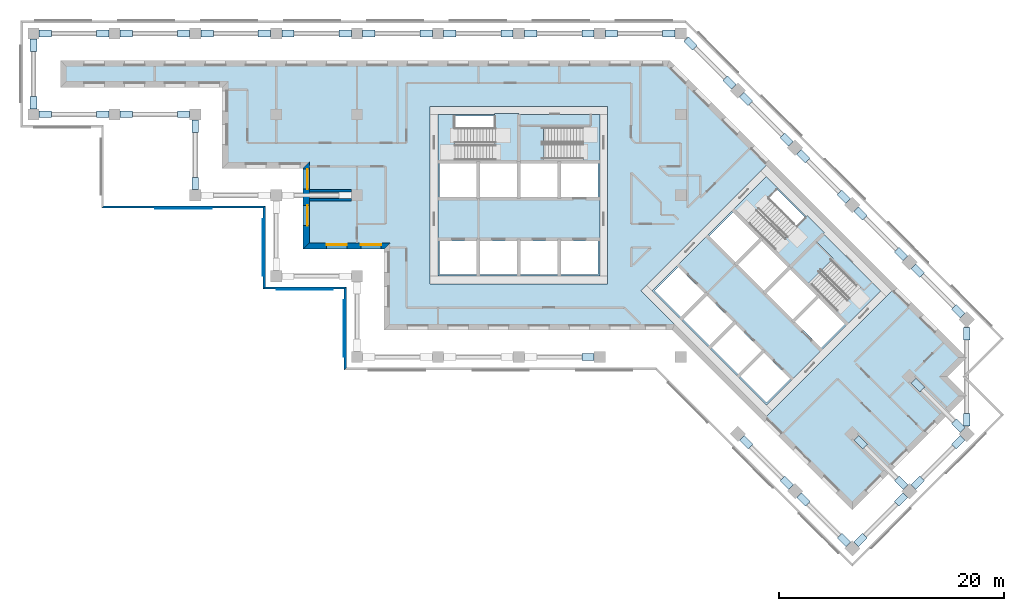
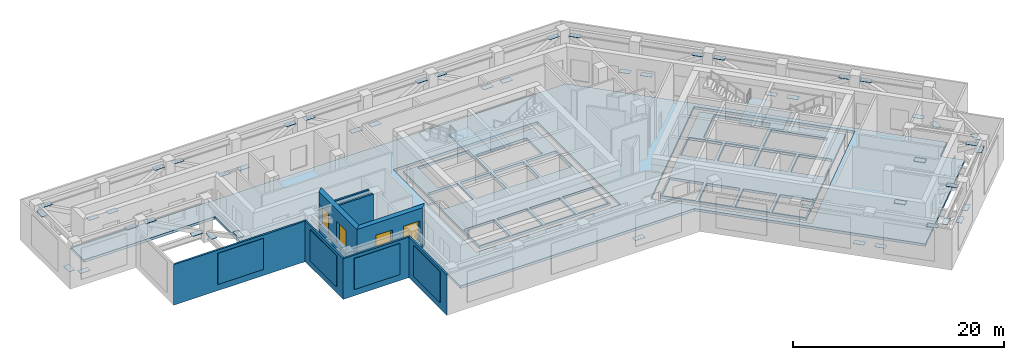
# One storey, part 2 of 9: 53 plates, 8 walls, 7 slabs, 4 windows, 26 openings, 4 elements without a shape of their own.
"""IFC4 building model written with IfcOpenShell, lengths in metres."""

from ifc_helpers import new_model, si_unit, direction, frame, frame_2d, origin, origin_2d, place, context, subcontext, project, spatial, polyline, rectangle, outline, extrude, material, layer, layer_set, type_object, element, fill, aggregate, save


model = new_model("IFC4")

# Units and contexts
model_context = context("Model", 3, precision=1e-05, world=origin(), true_north=direction((0.0, 1.0)))
body_context = subcontext(model_context, "Body", "Model", "MODEL_VIEW")
ifc_project = project(units=[si_unit("LENGTHUNIT", "METRE"), si_unit("AREAUNIT", "SQUARE_METRE"), si_unit("VOLUMEUNIT", "CUBIC_METRE"), si_unit("PLANEANGLEUNIT", "RADIAN"), si_unit("MASSUNIT", "GRAM", prefix="KILO")], contexts=[model_context])

# Plate
ifc_material_1 = material(Name="Aluminium louvre", Category="aluminium")
ifc_layer_1 = layer(ifc_material_1, 0.05)
ifc_layer_set_1 = layer_set([ifc_layer_1], Name="Belt louvre panel 5000x3600")
plate_type_1 = type_object("IfcPlateType", Name="Belt louvre panel 5000x3600", PredefinedType="SHEET", material=ifc_layer_set_1)
site_placement = place(None, origin())
building_placement = place(site_placement, origin())
storey_placement = place(building_placement, frame((0.0, 0.0, 126.2)))
plate_1_placement = place(storey_placement, frame((32.45, 56.4, 0.75), z_axis=(0.0, -1.0, 0.0), x_axis=(1.0, 0.0, 0.0)))
plate_1 = element("IfcPlate", 1, at=plate_1_placement, type_object=plate_type_1, Name="Belt louvre panel L34 49.1", PredefinedType="SHEET", context=body_context, shape_type="SweptSolid", body=[
    extrude(outline(polyline([(0.0, 0.0), (5.0, 0.0), (5.0, 3.6), (0.0, 3.6), (0.0, 0.0)])), origin(), (0.0, 0.0, -1.0), 0.05),
])

plate_2_placement = place(storey_placement, frame((42.0, 55.45, 0.75), z_axis=(-1.0, 0.0, 0.0), x_axis=(0.0, -1.0, 0.0)))
plate_2 = element("IfcPlate", 2, at=plate_2_placement, type_object=plate_type_1, Name="Belt louvre panel L34 53.1", PredefinedType="SHEET", context=body_context, shape_type="SweptSolid", body=[
    extrude(outline(polyline([(0.0, 0.0), (5.0, 0.0), (5.0, 3.6), (0.0, 3.6), (0.0, 0.0)])), origin(), (0.0, 0.0, -1.0), 0.05),
])

plate_3_placement = place(storey_placement, frame((43.25, 49.2, 0.75), z_axis=(0.0, -1.0, 0.0), x_axis=(1.0, 0.0, 0.0)))
plate_3 = element("IfcPlate", 3, at=plate_3_placement, type_object=plate_type_1, Name="Belt louvre panel L34 57.1", PredefinedType="SHEET", context=body_context, shape_type="SweptSolid", body=[
    extrude(outline(polyline([(0.0, 0.0), (5.0, 0.0), (5.0, 3.6), (0.0, 3.6), (0.0, 0.0)])), origin(), (0.0, 0.0, -1.0), 0.05),
])

plate_4_placement = place(storey_placement, frame((49.2, 48.25, 0.75), z_axis=(-1.0, 0.0, 0.0), x_axis=(0.0, -1.0, 0.0)))
plate_4 = element("IfcPlate", 4, at=plate_4_placement, type_object=plate_type_1, Name="Belt louvre panel L34 61.1", PredefinedType="SHEET", context=body_context, shape_type="SweptSolid", body=[
    extrude(outline(polyline([(0.0, 0.0), (5.0, 0.0), (5.0, 3.6), (0.0, 3.6), (0.0, 0.0)])), origin(), (0.0, 0.0, -1.0), 0.05),
])

# Site, building, storey
site = spatial("IfcSite", under=ifc_project, at=site_placement, CompositionType="ELEMENT")
building = spatial("IfcBuilding", under=site, at=building_placement, Name="Windrow Commons", CompositionType="ELEMENT")
storey = spatial("IfcBuildingStorey", under=building, at=storey_placement, Name="L34", CompositionType="ELEMENT", Elevation=126.2)

# Slab, openings
ifc_material_2 = material(Name="Concrete C50/60", Category="concrete")
ifc_layer_2 = layer(ifc_material_2, 0.3)
ifc_layer_set_2 = layer_set([ifc_layer_2], Name="CORE FLOOR SLAB 300 C50/60")
slab_type_1 = type_object("IfcSlabType", Name="CORE FLOOR SLAB 300 C50/60", PredefinedType="FLOOR", material=ifc_layer_set_2)
placement_1 = place(storey_placement, frame((0.0, 0.0, -0.3)))
slab_1 = element("IfcSlab", 5, at=placement_1, inside=storey, type_object=slab_type_1, Name="S-L34-core-A", PredefinedType="FLOOR", context=body_context, shape_type="SweptSolid", body=[
    extrude(outline(polyline([(57.6, 50.4), (72.0, 50.4), (72.0, 64.8), (57.6, 64.8), (57.6, 50.4)]), holes=[polyline([(57.75, 50.55), (61.05, 50.55), (61.05, 53.55), (57.75, 53.55), (57.75, 50.55)]), polyline([(61.35, 50.55), (64.65, 50.55), (64.65, 53.55), (61.35, 53.55), (61.35, 50.55)]), polyline([(64.95, 50.55), (68.25, 50.55), (68.25, 53.55), (64.95, 53.55), (64.95, 50.55)]), polyline([(68.55, 50.55), (71.85, 50.55), (71.85, 53.55), (68.55, 53.55), (68.55, 50.55)]), polyline([(57.75, 57.45), (61.05, 57.45), (61.05, 60.45), (57.75, 60.45), (57.75, 57.45)]), polyline([(61.35, 57.45), (64.65, 57.45), (64.65, 60.45), (61.35, 60.45), (61.35, 57.45)]), polyline([(64.95, 57.45), (68.25, 57.45), (68.25, 60.45), (64.95, 60.45), (64.95, 57.45)]), polyline([(68.55, 57.45), (71.85, 57.45), (71.85, 60.45), (68.55, 60.45), (68.55, 57.45)]), polyline([(59.1, 60.75), (64.65, 60.75), (64.65, 64.65), (59.1, 64.65), (59.1, 60.75)]), polyline([(64.95, 60.75), (70.5, 60.75), (70.5, 63.705), (64.95, 63.705), (64.95, 60.75)])]), origin(), (0.0, 0.0, 1.0), 0.3),
])
opening_1_placement = place(placement_1, origin())
element("IfcOpeningElement", 6, at=opening_1_placement, cuts=slab_1, Name="Slab opening S-L34-core-A 1", PredefinedType="OPENING", context=body_context, shape_type="SweptSolid", body=[
    extrude(outline(polyline([(57.755, 50.555), (57.755, 53.545), (61.045, 53.545), (61.045, 50.555), (57.755, 50.555)])), origin(), (0.0, 0.0, 1.0), 0.3),
])
opening_2_placement = place(placement_1, origin())
element("IfcOpeningElement", 7, at=opening_2_placement, cuts=slab_1, Name="Slab opening S-L34-core-A 2", PredefinedType="OPENING", context=body_context, shape_type="SweptSolid", body=[
    extrude(outline(polyline([(61.355, 50.555), (61.355, 53.545), (64.645, 53.545), (64.645, 50.555), (61.355, 50.555)])), origin(), (0.0, 0.0, 1.0), 0.3),
])
opening_3_placement = place(placement_1, origin())
element("IfcOpeningElement", 8, at=opening_3_placement, cuts=slab_1, Name="Slab opening S-L34-core-A 3", PredefinedType="OPENING", context=body_context, shape_type="SweptSolid", body=[
    extrude(outline(polyline([(64.955, 50.555), (64.955, 53.545), (68.245, 53.545), (68.245, 50.555), (64.955, 50.555)])), origin(), (0.0, 0.0, 1.0), 0.3),
])
opening_4_placement = place(placement_1, origin())
element("IfcOpeningElement", 9, at=opening_4_placement, cuts=slab_1, Name="Slab opening S-L34-core-A 4", PredefinedType="OPENING", context=body_context, shape_type="SweptSolid", body=[
    extrude(outline(polyline([(68.555, 50.555), (68.555, 53.545), (71.845, 53.545), (71.845, 50.555), (68.555, 50.555)])), origin(), (0.0, 0.0, 1.0), 0.3),
])
opening_5_placement = place(placement_1, origin())
element("IfcOpeningElement", 10, at=opening_5_placement, cuts=slab_1, Name="Slab opening S-L34-core-A 5", PredefinedType="OPENING", context=body_context, shape_type="SweptSolid", body=[
    extrude(outline(polyline([(57.755, 57.455), (57.755, 60.445), (61.045, 60.445), (61.045, 57.455), (57.755, 57.455)])), origin(), (0.0, 0.0, 1.0), 0.3),
])
opening_6_placement = place(placement_1, origin())
element("IfcOpeningElement", 11, at=opening_6_placement, cuts=slab_1, Name="Slab opening S-L34-core-A 6", PredefinedType="OPENING", context=body_context, shape_type="SweptSolid", body=[
    extrude(outline(polyline([(61.355, 57.455), (61.355, 60.445), (64.645, 60.445), (64.645, 57.455), (61.355, 57.455)])), origin(), (0.0, 0.0, 1.0), 0.3),
])
opening_7_placement = place(placement_1, origin())
element("IfcOpeningElement", 12, at=opening_7_placement, cuts=slab_1, Name="Slab opening S-L34-core-A 7", PredefinedType="OPENING", context=body_context, shape_type="SweptSolid", body=[
    extrude(outline(polyline([(64.955, 57.455), (64.955, 60.445), (68.245, 60.445), (68.245, 57.455), (64.955, 57.455)])), origin(), (0.0, 0.0, 1.0), 0.3),
])
opening_8_placement = place(placement_1, origin())
element("IfcOpeningElement", 13, at=opening_8_placement, cuts=slab_1, Name="Slab opening S-L34-core-A 8", PredefinedType="OPENING", context=body_context, shape_type="SweptSolid", body=[
    extrude(outline(polyline([(68.555, 57.455), (68.555, 60.445), (71.845, 60.445), (71.845, 57.455), (68.555, 57.455)])), origin(), (0.0, 0.0, 1.0), 0.3),
])
opening_9_placement = place(placement_1, origin())
element("IfcOpeningElement", 14, at=opening_9_placement, cuts=slab_1, Name="Slab opening S-L34-core-A 9", PredefinedType="OPENING", context=body_context, shape_type="SweptSolid", body=[
    extrude(outline(polyline([(59.105, 60.755), (59.105, 64.645), (64.645, 64.645), (64.645, 60.755), (59.105, 60.755)])), origin(), (0.0, 0.0, 1.0), 0.3),
])
opening_10_placement = place(placement_1, origin())
element("IfcOpeningElement", 15, at=opening_10_placement, cuts=slab_1, Name="Slab opening S-L34-core-A 10", PredefinedType="OPENING", context=body_context, shape_type="SweptSolid", body=[
    extrude(outline(polyline([(64.955, 60.755), (64.955, 63.7), (70.495, 63.7), (70.495, 60.755), (64.955, 60.755)])), origin(), (0.0, 0.0, 1.0), 0.3),
])

slab_2 = element("IfcSlab", 16, at=placement_1, inside=storey, type_object=slab_type_1, Name="S-L34-core-B", PredefinedType="FLOOR", context=body_context, shape_type="SweptSolid", body=[
    extrude(outline(polyline([(76.6544, 49.0897), (86.8368, 38.9074), (97.0191, 49.0897), (86.8368, 59.2721), (76.6544, 49.0897)]), holes=[polyline([(76.8665, 49.0897), (79.2, 46.7563), (81.3213, 48.8776), (78.9879, 51.2111), (76.8665, 49.0897)]), polyline([(79.4121, 46.5442), (81.7456, 44.2107), (83.8669, 46.332), (81.5335, 48.6655), (79.4121, 46.5442)]), polyline([(81.9577, 43.9986), (84.2912, 41.6651), (86.4125, 43.7864), (84.079, 46.1199), (81.9577, 43.9986)]), polyline([(84.5033, 41.453), (86.8368, 39.1195), (88.9581, 41.2409), (86.6246, 43.5743), (84.5033, 41.453)]), polyline([(81.7456, 53.9688), (84.079, 51.6353), (86.2004, 53.7566), (83.8669, 56.0901), (81.7456, 53.9688)]), polyline([(84.2912, 51.4232), (86.6246, 49.0897), (88.7459, 51.2111), (86.4125, 53.5445), (84.2912, 51.4232)]), polyline([(86.8368, 48.8776), (89.1702, 46.5442), (91.2915, 48.6655), (88.9581, 50.9989), (86.8368, 48.8776)]), polyline([(89.3823, 46.332), (91.7158, 43.9986), (93.8371, 46.1199), (91.5037, 48.4533), (89.3823, 46.332)]), polyline([(85.0336, 55.3476), (88.9581, 51.4232), (91.7158, 54.1809), (87.7913, 58.1054), (85.0336, 55.3476)]), polyline([(89.1702, 51.2111), (93.0946, 47.2866), (95.1841, 49.3761), (91.2597, 53.3006), (89.1702, 51.2111)])]), origin(), (0.0, 0.0, 1.0), 0.3),
])
opening_11_placement = place(placement_1, origin())
element("IfcOpeningElement", 17, at=opening_11_placement, cuts=slab_2, Name="Slab opening S-L34-core-B 1", PredefinedType="OPENING", context=body_context, shape_type="SweptSolid", body=[
    extrude(outline(polyline([(76.8736, 49.0897), (78.9879, 51.204), (81.3142, 48.8776), (79.2, 46.7634), (76.8736, 49.0897)])), origin(), (0.0, 0.0, 1.0), 0.3),
])
opening_12_placement = place(placement_1, origin())
element("IfcOpeningElement", 18, at=opening_12_placement, cuts=slab_2, Name="Slab opening S-L34-core-B 2", PredefinedType="OPENING", context=body_context, shape_type="SweptSolid", body=[
    extrude(outline(polyline([(79.4192, 46.5442), (81.5335, 48.6584), (83.8598, 46.332), (81.7456, 44.2178), (79.4192, 46.5442)])), origin(), (0.0, 0.0, 1.0), 0.3),
])
opening_13_placement = place(placement_1, origin())
element("IfcOpeningElement", 19, at=opening_13_placement, cuts=slab_2, Name="Slab opening S-L34-core-B 3", PredefinedType="OPENING", context=body_context, shape_type="SweptSolid", body=[
    extrude(outline(polyline([(81.9648, 43.9986), (84.079, 46.1128), (86.4054, 43.7864), (84.2912, 41.6722), (81.9648, 43.9986)])), origin(), (0.0, 0.0, 1.0), 0.3),
])
opening_14_placement = place(placement_1, origin())
element("IfcOpeningElement", 20, at=opening_14_placement, cuts=slab_2, Name="Slab opening S-L34-core-B 4", PredefinedType="OPENING", context=body_context, shape_type="SweptSolid", body=[
    extrude(outline(polyline([(84.5104, 41.453), (86.6246, 43.5672), (88.951, 41.2409), (86.8368, 39.1266), (84.5104, 41.453)])), origin(), (0.0, 0.0, 1.0), 0.3),
])
opening_15_placement = place(placement_1, origin())
element("IfcOpeningElement", 21, at=opening_15_placement, cuts=slab_2, Name="Slab opening S-L34-core-B 5", PredefinedType="OPENING", context=body_context, shape_type="SweptSolid", body=[
    extrude(outline(polyline([(81.7527, 53.9688), (83.8669, 56.083), (86.1933, 53.7566), (84.079, 51.6424), (81.7527, 53.9688)])), origin(), (0.0, 0.0, 1.0), 0.3),
])
opening_16_placement = place(placement_1, origin())
element("IfcOpeningElement", 22, at=opening_16_placement, cuts=slab_2, Name="Slab opening S-L34-core-B 6", PredefinedType="OPENING", context=body_context, shape_type="SweptSolid", body=[
    extrude(outline(polyline([(84.2983, 51.4232), (86.4125, 53.5374), (88.7388, 51.2111), (86.6246, 49.0968), (84.2983, 51.4232)])), origin(), (0.0, 0.0, 1.0), 0.3),
])
opening_17_placement = place(placement_1, origin())
element("IfcOpeningElement", 23, at=opening_17_placement, cuts=slab_2, Name="Slab opening S-L34-core-B 7", PredefinedType="OPENING", context=body_context, shape_type="SweptSolid", body=[
    extrude(outline(polyline([(86.8439, 48.8776), (88.9581, 50.9918), (91.2844, 48.6655), (89.1702, 46.5513), (86.8439, 48.8776)])), origin(), (0.0, 0.0, 1.0), 0.3),
])
opening_18_placement = place(placement_1, origin())
element("IfcOpeningElement", 24, at=opening_18_placement, cuts=slab_2, Name="Slab opening S-L34-core-B 8", PredefinedType="OPENING", context=body_context, shape_type="SweptSolid", body=[
    extrude(outline(polyline([(89.3894, 46.332), (91.5037, 48.4462), (93.83, 46.1199), (91.7158, 44.0057), (89.3894, 46.332)])), origin(), (0.0, 0.0, 1.0), 0.3),
])
opening_19_placement = place(placement_1, origin())
element("IfcOpeningElement", 25, at=opening_19_placement, cuts=slab_2, Name="Slab opening S-L34-core-B 9", PredefinedType="OPENING", context=body_context, shape_type="SweptSolid", body=[
    extrude(outline(polyline([(85.0407, 55.3476), (87.7913, 58.0983), (91.7087, 54.1809), (88.9581, 51.4303), (85.0407, 55.3476)])), origin(), (0.0, 0.0, 1.0), 0.3),
])
opening_20_placement = place(placement_1, origin())
element("IfcOpeningElement", 26, at=opening_20_placement, cuts=slab_2, Name="Slab opening S-L34-core-B 10", PredefinedType="OPENING", context=body_context, shape_type="SweptSolid", body=[
    extrude(outline(polyline([(89.1773, 51.2111), (91.2597, 53.2935), (95.177, 49.3761), (93.0946, 47.2937), (89.1773, 51.2111)])), origin(), (0.0, 0.0, 1.0), 0.3),
])

# Stair, slab
ifc_material_3 = material(Name="Concrete C40/50", Category="concrete")
stair_type = type_object("IfcStairType", Name="Core stair", PredefinedType="HALF_TURN_STAIR", material=ifc_material_3)
placement_2 = place(storey_placement, origin())
stair_1 = element("IfcStair", 27, at=placement_2, inside=storey, type_object=stair_type, Name="L34 Exit stair A1 core A", PredefinedType="HALF_TURN_STAIR")
ifc_material_4 = material(Name="Concrete C40/50", Category="concrete")
ifc_layer_3 = layer(ifc_material_4, 0.2)
ifc_layer_set_3 = layer_set([ifc_layer_3], Name="Core stair landing")
slab_type_2 = type_object("IfcSlabType", Name="Core stair landing", PredefinedType="LANDING", material=ifc_layer_set_3)
placement_3 = place(storey_placement, frame((0.0, 0.0, 2.3)))
slab_3 = element("IfcSlab", 28, at=placement_3, type_object=slab_type_2, Name="ST-A1 landing 1", PredefinedType="LANDING", context=body_context, shape_type="SweptSolid", body=[
    extrude(outline(polyline([(62.62, 60.5), (64.8, 60.5), (64.8, 64.9), (62.62, 64.9), (62.62, 60.5)])), origin(), (0.0, 0.0, 1.0), 0.2),
])
aggregate(stair_1, [slab_3])

stair_2 = element("IfcStair", 29, at=placement_2, inside=storey, type_object=stair_type, Name="L34 Exit stair A2 core A", PredefinedType="HALF_TURN_STAIR")
slab_4 = element("IfcSlab", 30, at=placement_3, type_object=slab_type_2, Name="ST-A2 landing 1", PredefinedType="LANDING", context=body_context, shape_type="SweptSolid", body=[
    extrude(outline(polyline([(64.8, 60.5), (66.98, 60.5), (66.98, 63.855), (64.8, 63.855), (64.8, 60.5)])), origin(), (0.0, 0.0, 1.0), 0.2),
])
aggregate(stair_2, [slab_4])

stair_3 = element("IfcStair", 31, at=placement_2, inside=storey, type_object=stair_type, Name="L34 Exit stair B1 core B", PredefinedType="HALF_TURN_STAIR")
slab_5 = element("IfcSlab", 32, at=placement_3, type_object=slab_type_2, Name="ST-B1 landing 1", PredefinedType="LANDING", context=body_context, shape_type="SweptSolid", body=[
    extrude(outline(polyline([(87.3459, 52.6819), (88.8874, 51.1403), (91.9986, 54.2516), (90.4571, 55.7931), (87.3459, 52.6819)])), origin(), (0.0, 0.0, 1.0), 0.2),
])
aggregate(stair_3, [slab_5])

stair_4 = element("IfcStair", 33, at=placement_2, inside=storey, type_object=stair_type, Name="L34 Exit stair B2 core B", PredefinedType="HALF_TURN_STAIR")
slab_6 = element("IfcSlab", 34, at=placement_3, type_object=slab_type_2, Name="ST-B2 landing 1", PredefinedType="LANDING", context=body_context, shape_type="SweptSolid", body=[
    extrude(outline(polyline([(88.8874, 51.1403), (90.4289, 49.5989), (92.8012, 51.9712), (91.2597, 53.5127), (88.8874, 51.1403)])), origin(), (0.0, 0.0, 1.0), 0.2),
])
aggregate(stair_4, [slab_6])

# Slab, openings
ifc_material_5 = material(Name="Concrete C50/60", Category="concrete")
ifc_layer_4 = layer(ifc_material_5, 0.3)
ifc_layer_set_4 = layer_set([ifc_layer_4], Name="FLOOR SLAB 300 C50/60")
slab_type_3 = type_object("IfcSlabType", Name="FLOOR SLAB 300 C50/60", PredefinedType="FLOOR", material=ifc_layer_set_4)
slab_7 = element("IfcSlab", 35, at=placement_1, inside=storey, type_object=slab_type_3, Name="S-L34-floor", PredefinedType="FLOOR", context=body_context, shape_type="SweptSolid", body=[
    extrude(outline(polyline([(94.4735, 29.5736), (104.6558, 39.7559), (102.9588, 41.453), (104.6558, 43.15), (78.2059, 69.6), (24.0, 69.6), (24.0, 67.2), (38.4, 67.2), (38.4, 60.0), (45.6, 60.0), (45.6, 52.8), (52.8, 52.8), (52.8, 45.6), (78.4471, 45.6), (94.4735, 29.5736)]), holes=[polyline([(75.6645, 49.0897), (86.8368, 60.262), (98.009, 49.0897), (86.8368, 37.9175), (75.6645, 49.0897)]), polyline([(56.9, 49.7), (56.9, 65.5), (72.7, 65.5), (72.7, 49.7), (56.9, 49.7)])]), origin(), (0.0, 0.0, 1.0), 0.3),
])
opening_21_placement = place(placement_1, origin())
element("IfcOpeningElement", 36, at=opening_21_placement, cuts=slab_7, Name="Slab opening S-L34-floor 1", PredefinedType="OPENING", context=body_context, shape_type="SweptSolid", body=[
    extrude(outline(polyline([(75.6716, 49.0897), (86.8368, 60.2549), (98.0019, 49.0897), (86.8368, 37.9246), (75.6716, 49.0897)])), origin(), (0.0, 0.0, 1.0), 0.3),
])
opening_22_placement = place(placement_1, origin())
element("IfcOpeningElement", 37, at=opening_22_placement, cuts=slab_7, Name="Slab opening S-L34-floor 2", PredefinedType="OPENING", context=body_context, shape_type="SweptSolid", body=[
    extrude(outline(polyline([(56.905, 49.705), (56.905, 65.495), (72.695, 65.495), (72.695, 49.705), (56.905, 49.705)])), origin(), (0.0, 0.0, 1.0), 0.3),
])

# Plates
ifc_material_6 = material(Name="Steel S355", Category="steel")
ifc_layer_5 = layer(ifc_material_6, 0.03)
ifc_layer_set_5 = layer_set([ifc_layer_5], Name="GUSSET PLATE 30 S355")
plate_type_2 = type_object("IfcPlateType", Name="GUSSET PLATE 30 S355", PredefinedType="USERDEFINED", material=ifc_layer_set_5)
for number, where, z_axis, x_axis, name in (
    (38, (70.95, 43.2, 0.7), (0.0, 0.0, 1.0), (-1.0, 0.0, 0.0), "Gusset plate L34 belt00 1"),
    (39, (36.0, 58.65, 3.97), (0.0, 0.0, 1.0), (0.0, 1.0, 0.0), "Gusset plate L34 belt00 13"),
    (40, (36.0, 63.75, 0.7), (0.0, 0.0, 1.0), (0.0, 1.0, 0.0), "Gusset plate L34 belt00 14"),
    (41, (34.95, 64.8, 0.7), (0.0, 0.0, 1.0), (-1.0, 0.0, 0.0), "Gusset plate L34 belt00 15"),
    (42, (29.85, 64.8, 3.97), (0.0, 0.0, 1.0), (-1.0, 0.0, 0.0), "Gusset plate L34 belt00 16"),
    (43, (27.75, 64.8, 3.97), (0.0, 0.0, 1.0), (-1.0, 0.0, 0.0), "Gusset plate L34 belt00 17"),
    (44, (22.65, 64.8, 0.7), (0.0, 0.0, 1.0), (-1.0, 0.0, 0.0), "Gusset plate L34 belt00 18"),
    (45, (21.6, 65.85, 0.7), (0.0, 0.0, 1.0), (0.0, 1.0, 0.0), "Gusset plate L34 belt00 19"),
    (46, (21.6, 70.95, 3.97), (0.0, 0.0, 1.0), (0.0, 1.0, 0.0), "Gusset plate L34 belt00 20"),
    (47, (22.65, 72.0, 3.97), (0.0, 0.0, 1.0), (1.0, 0.0, 0.0), "Gusset plate L34 belt00 21"),
    (48, (27.75, 72.0, 0.7), (0.0, 0.0, 1.0), (1.0, 0.0, 0.0), "Gusset plate L34 belt00 22"),
    (49, (29.85, 72.0, 0.7), (0.0, 0.0, 1.0), (1.0, 0.0, 0.0), "Gusset plate L34 belt00 23"),
    (50, (34.95, 72.0, 3.97), (0.0, 0.0, 1.0), (1.0, 0.0, 0.0), "Gusset plate L34 belt00 24"),
    (51, (37.05, 72.0, 3.97), (0.0, 0.0, 1.0), (1.0, 0.0, 0.0), "Gusset plate L34 belt00 25"),
    (52, (42.15, 72.0, 0.7), (0.0, 0.0, 1.0), (1.0, 0.0, 0.0), "Gusset plate L34 belt00 26"),
    (53, (44.25, 72.0, 0.7), (0.0, 0.0, 1.0), (1.0, 0.0, 0.0), "Gusset plate L34 belt00 27"),
    (54, (49.35, 72.0, 3.97), (0.0, 0.0, 1.0), (1.0, 0.0, 0.0), "Gusset plate L34 belt00 28"),
    (55, (51.45, 72.0, 3.97), (0.0, 0.0, 1.0), (1.0, 0.0, 0.0), "Gusset plate L34 belt00 29"),
    (56, (56.55, 72.0, 0.7), (0.0, 0.0, 1.0), (1.0, 0.0, 0.0), "Gusset plate L34 belt00 30"),
    (57, (58.65, 72.0, 0.7), (0.0, 0.0, 1.0), (1.0, 0.0, 0.0), "Gusset plate L34 belt00 31"),
    (58, (63.75, 72.0, 3.97), (0.0, 0.0, 1.0), (1.0, 0.0, 0.0), "Gusset plate L34 belt00 32"),
    (59, (65.85, 72.0, 3.97), (0.0, 0.0, 1.0), (1.0, 0.0, 0.0), "Gusset plate L34 belt00 33"),
    (60, (70.95, 72.0, 0.7), (0.0, 0.0, 1.0), (1.0, 0.0, 0.0), "Gusset plate L34 belt00 34"),
    (61, (73.05, 72.0, 0.7), (0.0, 0.0, 1.0), (1.0, 0.0, 0.0), "Gusset plate L34 belt00 35"),
    (62, (78.15, 72.0, 3.97), (0.0, 0.0, 1.0), (1.0, 0.0, 0.0), "Gusset plate L34 belt00 36"),
    (63, (80.0889, 71.1111, 3.97), (0.0, 0.0, 1.0), (0.7071067812, -0.7071067812, 0.0), "Gusset plate L34 belt00 37"),
    (64, (83.5487, 67.6513, 0.7), (0.0, 0.0, 1.0), (0.7071067812, -0.7071067812, 0.0), "Gusset plate L34 belt00 38"),
    (65, (85.0337, 66.1663, 0.7), (0.0, 0.0, 1.0), (0.7071067812, -0.7071067812, 0.0), "Gusset plate L34 belt00 39"),
    (66, (88.6398, 62.5602, 3.97), (0.0, 0.0, 1.0), (0.7071067812, -0.7071067812, 0.0), "Gusset plate L34 belt00 40"),
    (67, (90.1248, 61.0752, 3.97), (0.0, 0.0, 1.0), (0.7071067812, -0.7071067812, 0.0), "Gusset plate L34 belt00 41"),
    (68, (93.731, 57.469, 0.7), (0.0, 0.0, 1.0), (0.7071067812, -0.7071067812, 0.0), "Gusset plate L34 belt00 42"),
    (69, (95.216, 55.984, 0.7), (0.0, 0.0, 1.0), (0.7071067812, -0.7071067812, 0.0), "Gusset plate L34 belt00 43"),
    (70, (98.8222, 52.3778, 3.97), (0.0, 0.0, 1.0), (0.7071067812, -0.7071067812, 0.0), "Gusset plate L34 belt00 44"),
    (71, (100.3072, 50.8928, 3.97), (0.0, 0.0, 1.0), (0.7071067812, -0.7071067812, 0.0), "Gusset plate L34 belt00 45"),
    (72, (103.9133, 47.2867, 0.7), (0.0, 0.0, 1.0), (0.7071067812, -0.7071067812, 0.0), "Gusset plate L34 belt00 46"),
    (73, (104.6558, 45.2871, 0.7), (0.0, 0.0, 1.0), (0.0, -1.0, 0.0), "Gusset plate L34 belt00 47"),
    (74, (104.6558, 37.6189, 3.97), (0.0, 0.0, 1.0), (0.0, -1.0, 0.0), "Gusset plate L34 belt00 48"),
    (75, (103.9133, 35.6193, 3.97), (0.0, 0.0, 1.0), (-0.7070993763, -0.707114186, 0.0), "Gusset plate L34 belt00 49"),
    (76, (100.3072, 32.0131, 0.7), (0.0, 0.0, 1.0), (-0.7070993763, -0.707114186, 0.0), "Gusset plate L34 belt00 50"),
    (77, (98.8222, 30.5281, 0.7), (0.0, 0.0, 1.0), (-0.707114186, -0.7070993763, 0.0), "Gusset plate L34 belt00 51"),
    (78, (95.216, 26.922, 3.97), (0.0, 0.0, 1.0), (-0.707114186, -0.7070993763, 0.0), "Gusset plate L34 belt00 52"),
    (79, (93.731, 26.922, 3.97), (0.0, 0.0, 1.0), (-0.707114186, 0.7070993763, 0.0), "Gusset plate L34 belt00 53"),
    (80, (90.1248, 30.5281, 0.7), (0.0, 0.0, 1.0), (-0.707114186, 0.7070993763, 0.0), "Gusset plate L34 belt00 54"),
    (81, (88.6398, 32.0131, 0.7), (0.0, 0.0, 1.0), (-0.7070993763, 0.707114186, 0.0), "Gusset plate L34 belt00 55"),
    (82, (85.0337, 35.6193, 3.97), (0.0, 0.0, 1.0), (-0.7070993763, 0.707114186, 0.0), "Gusset plate L34 belt00 56"),
    (83, (100.3072, 40.7105, 0.9), (0.0, 0.0, 1.0), (0.7070993763, -0.707114186, 0.0), "Gusset plate L34 outB-1 1"),
    (84, (103.9133, 37.1043, 3.77), (0.0, 0.0, 1.0), (0.7070993763, -0.707114186, 0.0), "Gusset plate L34 outB-1 2"),
    (85, (95.216, 35.6193, 0.9), (0.0, 0.0, 1.0), (0.7071067812, -0.7071067812, 0.0), "Gusset plate L34 outB-2 1"),
    (86, (98.8222, 32.0131, 3.77), (0.0, 0.0, 1.0), (0.7071067812, -0.7071067812, 0.0), "Gusset plate L34 outB-2 2"),
):
    element("IfcPlate", number, at=place(storey_placement, frame(where, z_axis=z_axis, x_axis=x_axis)), inside=storey, type_object=plate_type_2, Name=name, ObjectType="GUSSET PLATE", PredefinedType="USERDEFINED", context=body_context, shape_type="SweptSolid", body=[
        extrude(rectangle(XDim=1.1, YDim=0.6, at=origin_2d()), origin(), (0.0, 0.0, 1.0), 0.03),
    ])

# Wall
ifc_material_7 = material(Name="Concrete C40/50 precast screen panel", Category="concrete")
ifc_layer_6 = layer(ifc_material_7, 0.2)
ifc_layer_set_6 = layer_set([ifc_layer_6], Name="Belt screen wall 200")
wall_type_1 = type_object("IfcWallType", Name="Belt screen wall 200", PredefinedType="SOLIDWALL", material=ifc_layer_set_6)
wall_1_placement = place(storey_placement, frame((27.75, 56.55, 0.0), z_axis=(0.0, 0.0, 1.0), x_axis=(1.0, 0.0, 0.0)))
wall_1 = element("IfcWall", 87, at=wall_1_placement, inside=storey, type_object=wall_type_1, Name="Belt screen wall L34 49", PredefinedType="SOLIDWALL", context=body_context, shape_type="SweptSolid", body=[
    extrude(outline(polyline([(-0.1, -0.1), (14.3, -0.1), (14.5, 0.1), (0.1, 0.1), (-0.1, -0.1)])), origin(), (0.0, 0.0, 1.0), 4.7),
])

aggregate(wall_1, [plate_1])

wall_2_placement = place(storey_placement, frame((42.15, 56.55, 0.0), z_axis=(0.0, 0.0, 1.0), x_axis=(0.0, -1.0, 0.0)))
wall_2 = element("IfcWall", 88, at=wall_2_placement, inside=storey, type_object=wall_type_1, Name="Belt screen wall L34 53", PredefinedType="SOLIDWALL", context=body_context, shape_type="SweptSolid", body=[
    extrude(outline(polyline([(0.1, -0.1), (7.3, -0.1), (7.1, 0.1), (-0.1, 0.1), (0.1, -0.1)])), origin(), (0.0, 0.0, 1.0), 4.7),
])

aggregate(wall_2, [plate_2])

wall_3_placement = place(storey_placement, frame((42.15, 49.35, 0.0), z_axis=(0.0, 0.0, 1.0), x_axis=(1.0, 0.0, 0.0)))
wall_3 = element("IfcWall", 89, at=wall_3_placement, inside=storey, type_object=wall_type_1, Name="Belt screen wall L34 57", PredefinedType="SOLIDWALL", context=body_context, shape_type="SweptSolid", body=[
    extrude(outline(polyline([(-0.1, -0.1), (7.1, -0.1), (7.3, 0.1), (0.1, 0.1), (-0.1, -0.1)])), origin(), (0.0, 0.0, 1.0), 4.7),
])

aggregate(wall_3, [plate_3])

wall_4_placement = place(storey_placement, frame((49.35, 49.35, 0.0), z_axis=(0.0, 0.0, 1.0), x_axis=(0.0, -1.0, 0.0)))
wall_4 = element("IfcWall", 90, at=wall_4_placement, inside=storey, type_object=wall_type_1, Name="Belt screen wall L34 61", PredefinedType="SOLIDWALL", context=body_context, shape_type="SweptSolid", body=[
    extrude(outline(polyline([(0.1, -0.1), (7.3, -0.1), (7.1, 0.1), (-0.1, 0.1), (0.1, -0.1)])), origin(), (0.0, 0.0, 1.0), 4.7),
])

aggregate(wall_4, [plate_4])

# Wall, openings, windows
ifc_material_8 = material(Name="Brick masonry, red clay brick", Category="masonry")
ifc_layer_7 = layer(ifc_material_8, 0.55)
ifc_layer_set_7 = layer_set([ifc_layer_7], Name="Brick facade wall 550")
wall_type_2 = type_object("IfcWallType", Name="Brick facade wall 550", PredefinedType="SOLIDWALL", material=ifc_layer_set_7)
wall_5_placement = place(storey_placement, frame((45.875, 60.275, 0.0), z_axis=(0.0, 0.0, 1.0), x_axis=(0.0, -1.0, 0.0)))
wall_5 = element("IfcWall", 91, at=wall_5_placement, inside=storey, type_object=wall_type_2, Name="Brick facade wall L34 9", PredefinedType="SOLIDWALL", context=body_context, shape_type="SweptSolid", body=[
    extrude(outline(polyline([(0.275, -0.275), (7.475, -0.275), (6.925, 0.275), (-0.275, 0.275), (0.275, -0.275)])), origin(), (0.0, 0.0, 1.0), 4.7),
])
opening_23_placement = place(wall_5_placement, frame((0.3375, 0.0, 0.9)))
opening_23 = element("IfcOpeningElement", 92, at=opening_23_placement, cuts=wall_5, Name="Opening LV1", PredefinedType="OPENING", context=body_context, shape_type="SweptSolid", body=[
    extrude(rectangle(XDim=1.8, YDim=2.4, at=frame_2d((0.9, 1.2))), frame((0.0, 0.285, 0.0), z_axis=(0.0, -1.0, 0.0), x_axis=(1.0, 0.0, 0.0)), (0.0, 0.0, 1.0), 0.57),
])
opening_24_placement = place(wall_5_placement, frame((3.575, 0.0, 0.9)))
opening_24 = element("IfcOpeningElement", 93, at=opening_24_placement, cuts=wall_5, Name="Opening LV1", PredefinedType="OPENING", context=body_context, shape_type="SweptSolid", body=[
    extrude(rectangle(XDim=1.8, YDim=2.4, at=frame_2d((0.9, 1.2))), frame((0.0, 0.285, 0.0), z_axis=(0.0, -1.0, 0.0), x_axis=(1.0, 0.0, 0.0)), (0.0, 0.0, 1.0), 0.57),
])
ifc_material_9 = material(Name="Aluminium 6063-T6 anodised louvre", Category="aluminium")
window_type = type_object("IfcWindowType", Name="Plant louvre 1800x2400", PartitioningType="SINGLE_PANEL", PredefinedType="WINDOW", material=ifc_material_9)
window_1_placement = place(opening_23_placement, origin())
window_1 = element("IfcWindow", 94, at=window_1_placement, inside=storey, type_object=window_type, Name="Louvre L34 9.1", OverallHeight=2.4, OverallWidth=1.8, PartitioningType="SINGLE_PANEL", PredefinedType="WINDOW", context=body_context, shape_type="SweptSolid", body=[
    extrude(rectangle(XDim=1.8, YDim=2.4, at=frame_2d((0.9, 1.2))), frame((0.0, 0.155, 0.0), z_axis=(0.0, -1.0, 0.0), x_axis=(1.0, 0.0, 0.0)), (0.0, 0.0, 1.0), 0.06),
])
fill(opening_23, window_1)
window_2_placement = place(opening_24_placement, origin())
window_2 = element("IfcWindow", 95, at=window_2_placement, inside=storey, type_object=window_type, Name="Louvre L34 9.2", OverallHeight=2.4, OverallWidth=1.8, PartitioningType="SINGLE_PANEL", PredefinedType="WINDOW", context=body_context, shape_type="SweptSolid", body=[
    extrude(rectangle(XDim=1.8, YDim=2.4, at=frame_2d((0.9, 1.2))), frame((0.0, 0.155, 0.0), z_axis=(0.0, -1.0, 0.0), x_axis=(1.0, 0.0, 0.0)), (0.0, 0.0, 1.0), 0.06),
])
fill(opening_24, window_2)

wall_6_placement = place(storey_placement, frame((45.875, 53.075, 0.0), z_axis=(0.0, 0.0, 1.0), x_axis=(1.0, 0.0, 0.0)))
wall_6 = element("IfcWall", 96, at=wall_6_placement, inside=storey, type_object=wall_type_2, Name="Brick facade wall L34 10", PredefinedType="SOLIDWALL", context=body_context, shape_type="SweptSolid", body=[
    extrude(outline(polyline([(-0.275, -0.275), (6.925, -0.275), (7.475, 0.275), (0.275, 0.275), (-0.275, -0.275)])), origin(), (0.0, 0.0, 1.0), 4.7),
])
opening_25_placement = place(wall_6_placement, frame((1.825, 0.0, 0.9)))
opening_25 = element("IfcOpeningElement", 97, at=opening_25_placement, cuts=wall_6, Name="Opening LV1", PredefinedType="OPENING", context=body_context, shape_type="SweptSolid", body=[
    extrude(rectangle(XDim=1.8, YDim=2.4, at=frame_2d((0.9, 1.2))), frame((0.0, 0.285, 0.0), z_axis=(0.0, -1.0, 0.0), x_axis=(1.0, 0.0, 0.0)), (0.0, 0.0, 1.0), 0.57),
])
opening_26_placement = place(wall_6_placement, frame((4.8625, 0.0, 0.9)))
opening_26 = element("IfcOpeningElement", 98, at=opening_26_placement, cuts=wall_6, Name="Opening LV1", PredefinedType="OPENING", context=body_context, shape_type="SweptSolid", body=[
    extrude(rectangle(XDim=1.8, YDim=2.4, at=frame_2d((0.9, 1.2))), frame((0.0, 0.285, 0.0), z_axis=(0.0, -1.0, 0.0), x_axis=(1.0, 0.0, 0.0)), (0.0, 0.0, 1.0), 0.57),
])
window_3_placement = place(opening_25_placement, origin())
window_3 = element("IfcWindow", 99, at=window_3_placement, inside=storey, type_object=window_type, Name="Louvre L34 10.1", OverallHeight=2.4, OverallWidth=1.8, PartitioningType="SINGLE_PANEL", PredefinedType="WINDOW", context=body_context, shape_type="SweptSolid", body=[
    extrude(rectangle(XDim=1.8, YDim=2.4, at=frame_2d((0.9, 1.2))), frame((0.0, 0.155, 0.0), z_axis=(0.0, -1.0, 0.0), x_axis=(1.0, 0.0, 0.0)), (0.0, 0.0, 1.0), 0.06),
])
fill(opening_25, window_3)
window_4_placement = place(opening_26_placement, origin())
window_4 = element("IfcWindow", 100, at=window_4_placement, inside=storey, type_object=window_type, Name="Louvre L34 10.2", OverallHeight=2.4, OverallWidth=1.8, PartitioningType="SINGLE_PANEL", PredefinedType="WINDOW", context=body_context, shape_type="SweptSolid", body=[
    extrude(rectangle(XDim=1.8, YDim=2.4, at=frame_2d((0.9, 1.2))), frame((0.0, 0.155, 0.0), z_axis=(0.0, -1.0, 0.0), x_axis=(1.0, 0.0, 0.0)), (0.0, 0.0, 1.0), 0.06),
])
fill(opening_26, window_4)

# Walls
ifc_material_10 = material(Name="Blockwork partition", Category="masonry")
ifc_layer_8 = layer(ifc_material_10, 0.2)
ifc_layer_set_8 = layer_set([ifc_layer_8], Name="IW-PARTY-200")
wall_type_3 = type_object("IfcWallType", Name="IW-PARTY-200", PredefinedType="PARTITIONING", material=ifc_layer_set_8)
for number, where, z_axis, x_axis, name in (
    (101, (46.15, 57.2, 0.0), (0.0, 0.0, 1.0), (1.0, 0.0, 0.0), "W-L34-W024"),
    (102, (46.15, 58.0, 0.0), (0.0, 0.0, 1.0), (1.0, 0.0, 0.0), "W-L34-W025"),
):
    element("IfcWall", number, at=place(storey_placement, frame(where, z_axis=z_axis, x_axis=x_axis)), inside=storey, type_object=wall_type_3, Name=name, PredefinedType="PARTITIONING", context=body_context, shape_type="SweptSolid", body=[
        extrude(rectangle(XDim=3.75, YDim=0.2, at=frame_2d((1.875, 0.0))), origin(), (0.0, 0.0, 1.0), 4.7),
    ])

save(model, "model.ifc")
